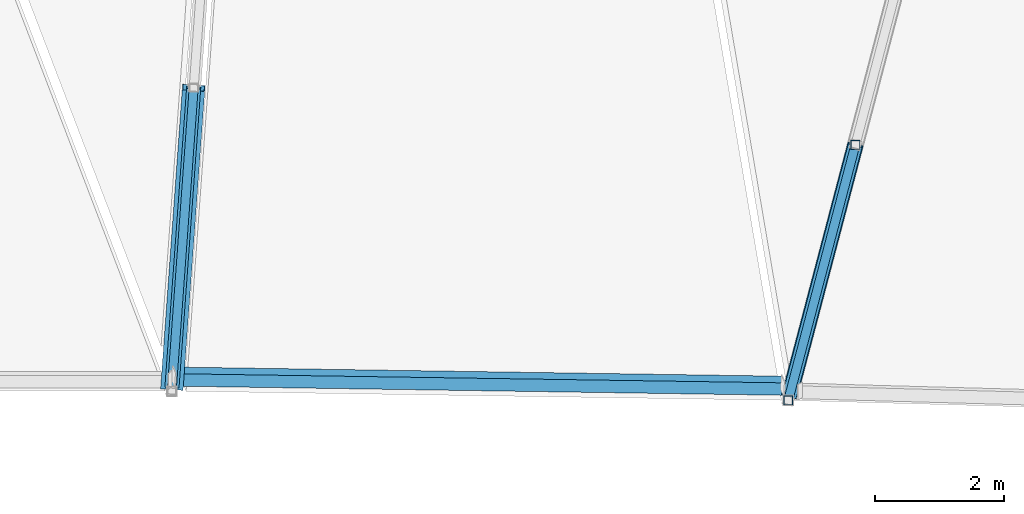
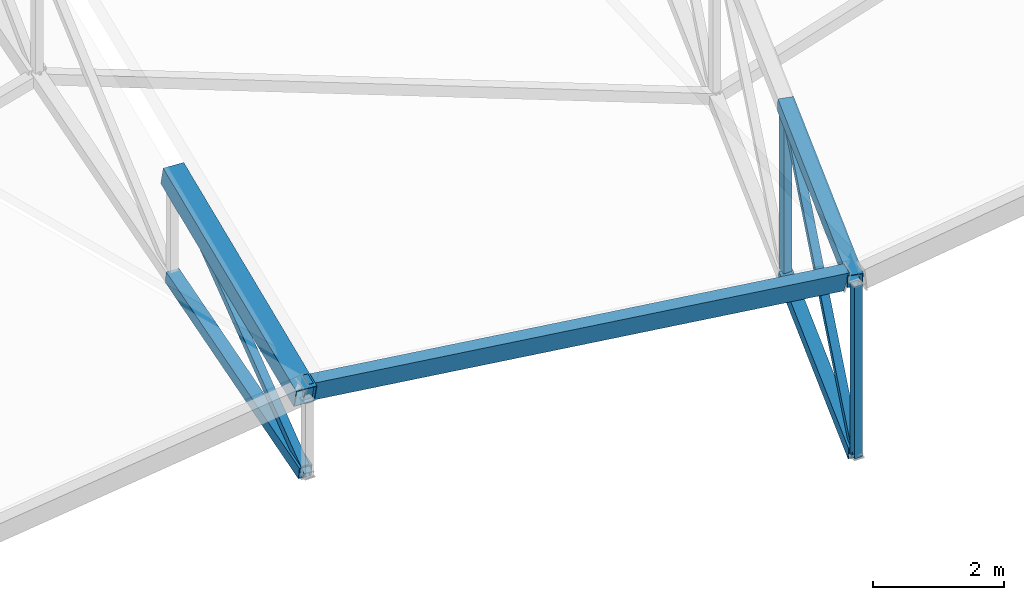
# One storey, part 151 of 344: 8 members, 1 beam.
"""IFC4 building model written with IfcOpenShell, lengths in metres."""

import ifcopenshell
import ifcopenshell.guid

model = None  # the IFC model being written
_history = None  # IfcOwnerHistory: only IFC2X3 demands one
_inside = {}  # id of a spatial element -> (the spatial element, [elements in it])
_under = {}  # id of a project, library or spatial element -> (it, [spatial elements below it])
_declared = {}  # id of a project -> (the project, [libraries it declares])
_typed = {}  # id of a type object -> (the type object, [elements of that type])
_made_of = {}  # id of a material, layer set ... -> (it, [elements and type objects made of it])


def new_model(schema):
    """Start an empty IFC model of exactly this schema.

    Asked for "IFC4X3", IfcOpenShell would pick the latest addendum, in which some entities
    have other attributes; the version numbers below select the first issue.
    IFC2X3 requires an IfcOwnerHistory on every rooted entity: one is made here for all.
    """
    global model, _history
    if schema == "IFC4X3":
        model = ifcopenshell.file(schema_version=(4, 3, 0, 0))
    else:
        model = ifcopenshell.file(schema=schema)
    _inside.clear()
    _under.clear()
    _declared.clear()
    _typed.clear()
    _made_of.clear()
    _history = None
    if model.schema == "IFC2X3":
        org = make("IfcOrganization", Name="unknown")
        user = make(
            "IfcPersonAndOrganization",
            ThePerson=make("IfcPerson", FamilyName="unknown"),
            TheOrganization=org,
        )
        app = make(
            "IfcApplication",
            ApplicationDeveloper=org,
            Version="unknown",
            ApplicationFullName="unknown",
            ApplicationIdentifier="unknown",
        )
        _history = make(
            "IfcOwnerHistory",
            OwningUser=user,
            OwningApplication=app,
            ChangeAction="ADDED",
            CreationDate=0,
        )
    return model


def make(cls, **values):
    """One entity of the class cls with the attributes given. An attribute that is None is left unset."""
    return model.create_entity(
        cls, **{name: value for name, value in values.items() if value is not None}
    )


def rooted(cls, **values):
    """An entity with a GlobalId (a new one), such as an element, a storey or a relation."""
    return make(cls, GlobalId=ifcopenshell.guid.new(), OwnerHistory=_history, **values)


def si_unit(unit_type, name, prefix=None):
    """IfcSIUnit, for example si_unit("LENGTHUNIT", "METRE", prefix="MILLI")."""
    return make("IfcSIUnit", UnitType=unit_type, Prefix=prefix, Name=name)


def assignment(units):
    """IfcUnitAssignment: the units of a project."""
    return None if units is None else make("IfcUnitAssignment", Units=units)


def point(xyz):
    """IfcCartesianPoint."""
    return None if xyz is None else make("IfcCartesianPoint", Coordinates=xyz)


def direction(xyz):
    """IfcDirection."""
    return None if xyz is None else make("IfcDirection", DirectionRatios=xyz)


def frame(location, z_axis=None, x_axis=None):
    """IfcAxis2Placement3D, a coordinate frame: its origin and axes. An axis left out is left unset."""
    return make(
        "IfcAxis2Placement3D",
        Location=point(location),
        Axis=direction(z_axis),
        RefDirection=direction(x_axis),
    )


def frame_2d(location, x_axis=None):
    """IfcAxis2Placement2D, a coordinate frame in the plane: its origin and x axis."""
    return make(
        "IfcAxis2Placement2D", Location=point(location), RefDirection=direction(x_axis)
    )


def origin():
    """The frame at (0, 0, 0) with its axes left unset."""
    return frame((0.0, 0.0, 0.0))


def origin_2d():
    """The frame at (0, 0) in the plane with its x axis left unset."""
    return frame_2d((0.0, 0.0))


def place(relative_to, where):
    """IfcLocalPlacement: puts the frame where relative to a parent placement (None: the world)."""
    return make(
        "IfcLocalPlacement", PlacementRelTo=relative_to, RelativePlacement=where
    )


def context(
    kind, dimensions, precision=None, world=None, true_north=None, identifier=None
):
    """IfcGeometricRepresentationContext, for example the 3D "Model" context."""
    return make(
        "IfcGeometricRepresentationContext",
        ContextIdentifier=identifier,
        ContextType=kind,
        CoordinateSpaceDimension=dimensions,
        Precision=precision,
        WorldCoordinateSystem=world,
        TrueNorth=true_north,
    )


def subcontext(parent, identifier, kind, view, scale=None):
    """IfcGeometricRepresentationSubContext, for example "Body" below "Model"."""
    return make(
        "IfcGeometricRepresentationSubContext",
        ContextIdentifier=identifier,
        ContextType=kind,
        ParentContext=parent,
        TargetScale=scale,
        TargetView=view,
    )


def project(units=None, contexts=None):
    """IfcProject with its units and contexts."""
    return rooted(
        "IfcProject",
        Name="project",
        RepresentationContexts=contexts,
        UnitsInContext=assignment(units),
    )


def spatial(cls, under=None, at=None, **own):
    """A site, building, storey or space (cls), placed at a placement, below another one or the project."""
    s = rooted(cls, ObjectPlacement=at, **own)
    if under is not None:
        _under.setdefault(under.id(), (under, []))[1].append(s)
    return s


def profile(cls, at=None, kind="AREA", **sizes):
    """A parametric profile (cls). Its sizes go by their IFC names, for example OverallWidth=200.0."""
    return make(cls, ProfileType=kind, Position=at, **sizes)


def hollow_rectangle(**sizes):
    """IfcRectangleHollowProfileDef."""
    return profile("IfcRectangleHollowProfileDef", **sizes)


def extrude(swept, where, along, depth):
    """IfcExtrudedAreaSolid: the profile swept, set in the frame where, extruded along a direction by depth."""
    return make(
        "IfcExtrudedAreaSolid",
        SweptArea=swept,
        Position=where,
        ExtrudedDirection=direction(along),
        Depth=depth,
    )


def shape(context_of_items, identifier, shape_type, items):
    """IfcShapeRepresentation: the items that make up one representation, for example the "Body"."""
    return make(
        "IfcShapeRepresentation",
        ContextOfItems=context_of_items,
        RepresentationIdentifier=identifier,
        RepresentationType=shape_type,
        Items=items,
    )


def material(Name=None, Category=None):
    """IfcMaterial."""
    return make("IfcMaterial", Name=Name, Category=Category)


def material_profile(
    of_material, cross_section, Name=None, Category=None, Priority=None
):
    """IfcMaterialProfile: a cross section and its material."""
    return make(
        "IfcMaterialProfile",
        Name=Name,
        Material=of_material,
        Profile=cross_section,
        Priority=Priority,
        Category=Category,
    )


def profile_set(profiles, Name=None, composite=None):
    """IfcMaterialProfileSet."""
    return make(
        "IfcMaterialProfileSet",
        Name=Name,
        MaterialProfiles=profiles,
        CompositeProfile=composite,
    )


def made_of(thing, what):
    """Note that an element or type object is made of a material, layer set ...; save() writes the relation."""
    if what is not None:
        _made_of.setdefault(what.id(), (what, []))[1].append(thing)
    return thing


def type_object(cls, material=None, **own):
    """A type object (cls), such as IfcWallType, which elements share."""
    return made_of(rooted(cls, **own), material)


def element(
    cls,
    number,
    at=None,
    inside=None,
    cuts=None,
    type_object=None,
    material=None,
    context=None,
    identifier="Body",
    shape_type=None,
    held_by="IfcProductDefinitionShape",
    body=None,
    shapes=None,
    **own,
):
    """One element of the class cls, such as IfcWall. Its Tag is "e" and its number.

    at: its placement. inside: the storey or other place that contains it. cuts: it is an
    opening in that element (IfcRelVoidsElement). A single representation is given by context,
    identifier, shape_type and body (its items); several are given by shapes. held_by: the class
    of the entity that holds the representations. save() writes the other relations.
    """
    e = rooted(cls, Tag="e%d" % number, ObjectPlacement=at, **own)
    if body is not None:
        shapes = [shape(context, identifier, shape_type, body)]
    if shapes is not None:
        e.Representation = make(held_by, Representations=shapes)
    if inside is not None:
        _inside.setdefault(inside.id(), (inside, []))[1].append(e)
    if cuts is not None:
        rooted(
            "IfcRelVoidsElement", RelatingBuildingElement=cuts, RelatedOpeningElement=e
        )
    if type_object is not None:
        _typed.setdefault(type_object.id(), (type_object, []))[1].append(e)
    return made_of(e, material)


def aggregate(whole, parts):
    """IfcRelAggregates: a whole, such as a stair, and the parts it consists of."""
    return rooted("IfcRelAggregates", RelatingObject=whole, RelatedObjects=parts)


def save(model, path):
    """Write the relations noted so far, then the file.

    IfcRelAggregates (storeys below a building ...), IfcRelContainedInSpatialStructure (elements
    in a storey), IfcRelDefinesByType, IfcRelAssociatesMaterial and IfcRelDeclares: one each for
    every whole, place, type object, material and project.
    """
    for whole, parts in _under.values():
        aggregate(whole, parts)
    for where, things in _inside.values():
        rooted(
            "IfcRelContainedInSpatialStructure",
            RelatedElements=things,
            RelatingStructure=where,
        )
    for kind, things in _typed.values():
        rooted("IfcRelDefinesByType", RelatedObjects=things, RelatingType=kind)
    for what, things in _made_of.values():
        rooted("IfcRelAssociatesMaterial", RelatedObjects=things, RelatingMaterial=what)
    for by, libraries in _declared.values():
        rooted("IfcRelDeclares", RelatingContext=by, RelatedDefinitions=libraries)
    model.write(path)


model = new_model("IFC4")

# Units and contexts
model_context = context("Model", 3, precision=1e-05, world=origin(), true_north=direction((0.0, 1.0)))
body_context = subcontext(model_context, "Body", "Model", "MODEL_VIEW")
ifc_project = project(units=[si_unit("LENGTHUNIT", "METRE"), si_unit("AREAUNIT", "SQUARE_METRE"), si_unit("VOLUMEUNIT", "CUBIC_METRE"), si_unit("PLANEANGLEUNIT", "RADIAN"), si_unit("MASSUNIT", "GRAM", prefix="KILO")], contexts=[model_context])

# Site, building, storey
site_placement = place(None, origin())
site = spatial("IfcSite", under=ifc_project, at=site_placement, CompositionType="ELEMENT")
building_placement = place(site_placement, origin())
building = spatial("IfcBuilding", under=site, at=building_placement, Name="Meseta Stadium", CompositionType="ELEMENT")
storey_placement = place(building_placement, frame((0.0, 0.0, 24.0)))
storey = spatial("IfcBuildingStorey", under=building, at=storey_placement, Name="L04", CompositionType="ELEMENT", Elevation=24.0)

# Beam
ifc_material_1 = material(Name="Steel S355", Category="steel")
ifc_material_profile_1 = material_profile(ifc_material_1, hollow_rectangle(XDim=0.199951171875, YDim=0.39990234375, WallThickness=0.01611328125, at=origin_2d()), Name="RHS 400x200x16")
ifc_profile_set_1 = profile_set([ifc_material_profile_1], Name="Steel S355")
beam_type = type_object("IfcBeamType", Name="RHS 400x200x16 tip ring beam", PredefinedType="BEAM", material=ifc_profile_set_1)
beam_placement = place(storey_placement, frame((14.299560546875, 66.064208984375, 5.015869140625), z_axis=(-0.99259730693, 0.014960039035, 0.12052710694), x_axis=(-0.045737690005, -0.965368918018, -0.256848040362)))
element("IfcBeam", 1, at=beam_placement, inside=storey, type_object=beam_type, Name="TIP RING BEAM 18", PredefinedType="BEAM", context=body_context, shape_type="SweptSolid", body=[
    extrude(hollow_rectangle(XDim=0.199951171875, YDim=0.39990234375, WallThickness=0.01611328125, at=origin_2d()), origin(), (0.0, 0.0, 1.0), 9.51416015625),
])

# Members
ifc_material_2 = material(Name="Steel S355", Category="steel")
ifc_material_profile_2 = material_profile(ifc_material_2, hollow_rectangle(XDim=0.139892578125, YDim=0.139892578125, WallThickness=0.0048828125, at=origin_2d()), Name="SHS 140x140x5")
ifc_profile_set_2 = profile_set([ifc_material_profile_2], Name="Steel S355")
member_type_1 = type_object("IfcMemberType", Name="SHS 140x140x5 diagonal", PredefinedType="BRACE", material=ifc_profile_set_2)
member_1_placement = place(storey_placement, frame((14.3896484375, 65.8369140625, 1.80517578125), z_axis=(0.18713881627, 0.711950667419, 0.676834773491), x_axis=(-0.967146922096, 0.254218077801, 0.0)))
element("IfcMember", 2, at=member_1_placement, inside=storey, type_object=member_type_1, Name="ROOF TRUSS RT-17 diagonal", PredefinedType="BRACE", context=body_context, shape_type="SweptSolid", body=[
    extrude(hollow_rectangle(XDim=0.139892578125, YDim=0.139892578125, WallThickness=0.0048828125, at=origin_2d()), origin(), (0.0, 0.0, 1.0), 5.575927734375),
])
member_2_placement = place(storey_placement, frame((4.80810546875, 65.981201171875, 4.71435546875), z_axis=(0.063143470809, 0.870703359974, 0.487738209519), x_axis=(-0.997380746332, 0.072330124054, 0.0)))
element("IfcMember", 3, at=member_2_placement, inside=storey, type_object=member_type_1, Name="ROOF TRUSS RT-18 diagonal", PredefinedType="BRACE", context=body_context, shape_type="SweptSolid", body=[
    extrude(hollow_rectangle(XDim=0.139892578125, YDim=0.139892578125, WallThickness=0.0048828125, at=origin_2d()), origin(), (0.0, 0.0, 1.0), 5.4130859375),
])
ifc_material_3 = material(Name="Steel S355", Category="steel")
ifc_material_profile_3 = material_profile(ifc_material_3, hollow_rectangle(XDim=0.139892578125, YDim=0.139892578125, WallThickness=0.0048828125, at=origin_2d()), Name="SHS 140x140x5")
ifc_profile_set_3 = profile_set([ifc_material_profile_3], Name="Steel S355")
member_type_2 = type_object("IfcMemberType", Name="SHS 140x140x5 post", PredefinedType="POST", material=ifc_profile_set_3)
member_3_placement = place(storey_placement, frame((15.43310546875, 69.806640625, 2.37890625), z_axis=(0.0, 0.0, 1.0), x_axis=(1.0, 0.0, 0.0)))
element("IfcMember", 4, at=member_3_placement, inside=storey, type_object=member_type_2, Name="ROOF TRUSS RT-17 post", PredefinedType="POST", context=body_context, shape_type="SweptSolid", body=[
    extrude(hollow_rectangle(XDim=0.139892578125, YDim=0.139892578125, WallThickness=0.0048828125, at=origin_2d()), origin(), (0.0, 0.0, 1.0), 3.2001953125),
])
ifc_material_4 = material(Name="Steel S355", Category="steel")
ifc_material_profile_4 = material_profile(ifc_material_4, hollow_rectangle(XDim=0.139892578125, YDim=0.139892578125, WallThickness=0.0048828125, at=origin_2d()), Name="SHS 140x140x5")
ifc_profile_set_4 = profile_set([ifc_material_profile_4], Name="Steel S355")
member_type_3 = type_object("IfcMemberType", Name="SHS 140x140x5 rim post", PredefinedType="POST", material=ifc_profile_set_4)
member_4_placement = place(storey_placement, frame((14.3896484375, 65.8369140625, 1.80517578125), z_axis=(0.0, 0.0, 1.0), x_axis=(1.0, 0.0, 0.0)))
element("IfcMember", 5, at=member_4_placement, inside=storey, type_object=member_type_3, Name="ROOF TRUSS RT-17 post", PredefinedType="POST", context=body_context, shape_type="SweptSolid", body=[
    extrude(hollow_rectangle(XDim=0.139892578125, YDim=0.139892578125, WallThickness=0.0048828125, at=origin_2d()), origin(), (0.0, 0.0, 1.0), 3.2001953125),
])
ifc_material_5 = material(Name="Steel S355", Category="steel")
ifc_material_profile_5 = material_profile(ifc_material_5, hollow_rectangle(XDim=0.219970703125, YDim=0.219970703125, WallThickness=0.008056640625, at=origin_2d()), Name="SHS 220x220x8")
ifc_profile_set_5 = profile_set([ifc_material_profile_5], Name="Steel S355")
member_type_4 = type_object("IfcMemberType", Name="SHS 220x220x8 bottom chord", PredefinedType="CHORD", material=ifc_profile_set_5)
member_5_placement = place(storey_placement, frame((14.4072265625, 65.90380859375, 1.81494140625), z_axis=(0.25177249668, 0.957837965713, 0.138408964143), x_axis=(-0.967146596423, 0.254219316788, 0.0)))
element("IfcMember", 6, at=member_5_placement, inside=storey, type_object=member_type_4, Name="ROOF TRUSS RT-17 bottom chord", PredefinedType="CHORD", context=body_context, shape_type="SweptSolid", body=[
    extrude(hollow_rectangle(XDim=0.219970703125, YDim=0.219970703125, WallThickness=0.008056640625, at=origin_2d()), origin(), (0.0, 0.0, 1.0), 4.07470703125),
])
member_6_placement = place(storey_placement, frame((4.81298828125, 66.05029296875, 4.72509765625), z_axis=(0.071503096201, 0.985602823147, 0.153213518455), x_axis=(-0.997378767005, 0.072357412389, 0.0)))
element("IfcMember", 7, at=member_6_placement, inside=storey, type_object=member_type_4, Name="ROOF TRUSS RT-18 bottom chord", PredefinedType="CHORD", context=body_context, shape_type="SweptSolid", body=[
    extrude(hollow_rectangle(XDim=0.219970703125, YDim=0.219970703125, WallThickness=0.008056640625, at=origin_2d()), origin(), (0.0, 0.0, 1.0), 4.7119140625),
])
ifc_material_6 = material(Name="Steel S355", Category="steel")
ifc_material_profile_6 = material_profile(ifc_material_6, hollow_rectangle(XDim=0.25, YDim=0.25, WallThickness=0.010009765625, at=origin_2d()), Name="SHS 250x250x10")
ifc_profile_set_6 = profile_set([ifc_material_profile_6], Name="Steel S355")
member_type_5 = type_object("IfcMemberType", Name="SHS 250x250x10 top chord", PredefinedType="CHORD", material=ifc_profile_set_6)
member_7_placement = place(storey_placement, frame((14.4072265625, 65.90380859375, 5.014892578125), z_axis=(0.251770408282, 0.957830020654, 0.138467732874), x_axis=(-0.967146596423, 0.254219316788, 0.0)))
element("IfcMember", 8, at=member_7_placement, inside=storey, type_object=member_type_5, Name="ROOF TRUSS RT-17 top chord", PredefinedType="CHORD", context=body_context, shape_type="SweptSolid", body=[
    extrude(hollow_rectangle(XDim=0.25, YDim=0.25, WallThickness=0.010009765625, at=origin_2d()), origin(), (0.0, 0.0, 1.0), 4.07470703125),
])
ifc_material_7 = material(Name="Steel S355", Category="steel")
ifc_material_profile_7 = material_profile(ifc_material_7, hollow_rectangle(XDim=0.35009765625, YDim=0.35009765625, WallThickness=0.010009765625, at=origin_2d()), Name="SHS 350x350x10")
ifc_profile_set_7 = profile_set([ifc_material_profile_7], Name="Steel S355")
member_type_6 = type_object("IfcMemberType", Name="SHS 350x350x10 top chord", PredefinedType="CHORD", material=ifc_profile_set_7)
member_8_placement = place(storey_placement, frame((4.81298828125, 66.048828125, 6.13232421875), z_axis=(0.069966149738, 0.964721664643, 0.253804743179), x_axis=(-0.997380413335, 0.072334715703, 0.0)))
element("IfcMember", 9, at=member_8_placement, inside=storey, type_object=member_type_6, Name="ROOF TRUSS RT-18 top chord", PredefinedType="CHORD", context=body_context, shape_type="SweptSolid", body=[
    extrude(hollow_rectangle(XDim=0.35009765625, YDim=0.35009765625, WallThickness=0.010009765625, at=origin_2d()), origin(), (0.0, 0.0, 1.0), 4.8154296875),
])

save(model, "model.ifc")
